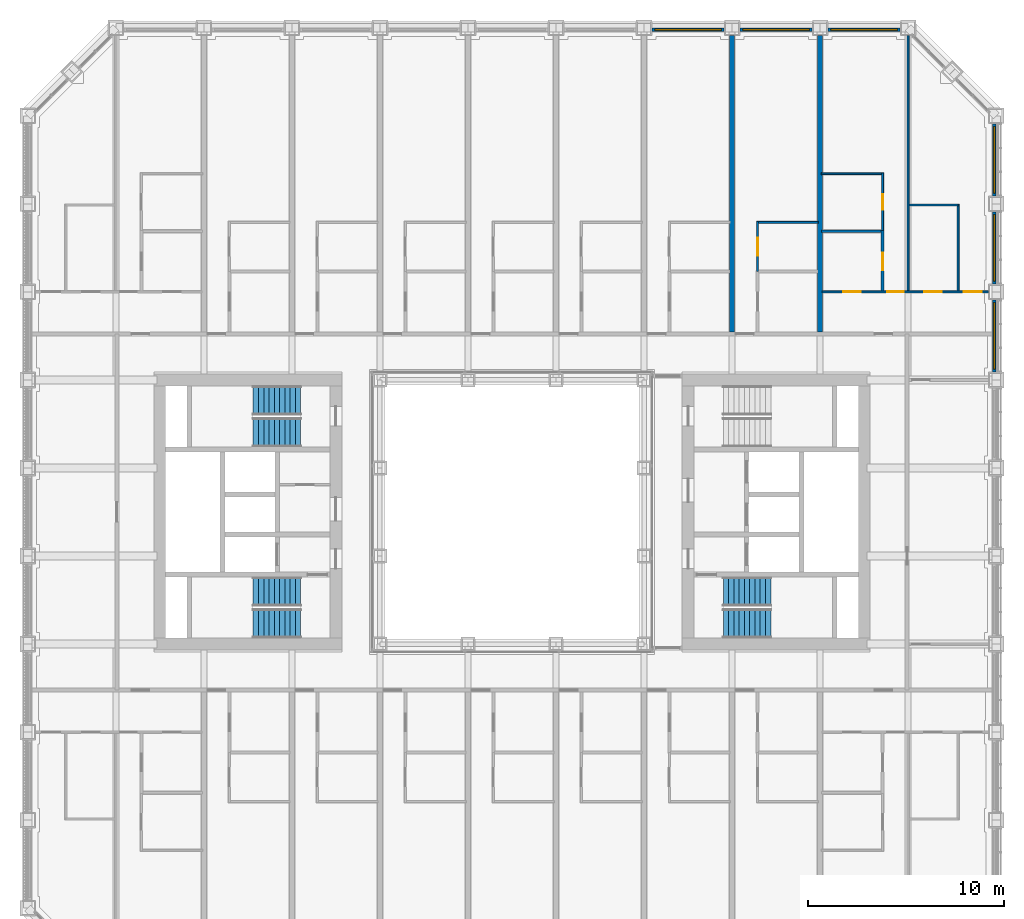
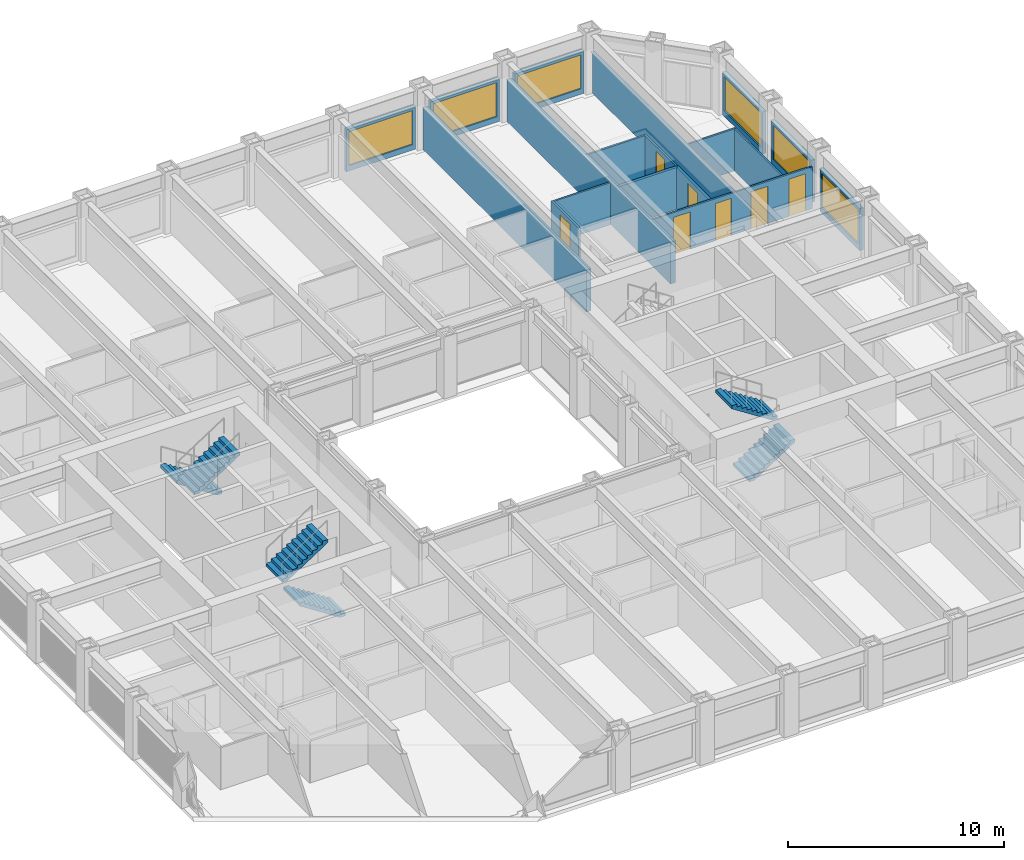
# One storey, part 15 of 21: 18 walls, 7 doors, 6 stair flights, 6 windows, 13 openings, 3 elements without a shape of their own.
"""IFC4 building model written with IfcOpenShell, lengths in metres."""

from ifc_helpers import new_model, si_unit, direction, frame, frame_2d, origin, place, context, subcontext, project, spatial, polyline, rectangle, outline, extrude, material, layer, layer_set, type_object, element, fill, aggregate, save


model = new_model("IFC4")

# Units and contexts
model_context = context("Model", 3, precision=1e-05, world=origin(), true_north=direction((0.0, 1.0)))
body_context = subcontext(model_context, "Body", "Model", "MODEL_VIEW")
ifc_project = project(units=[si_unit("LENGTHUNIT", "METRE"), si_unit("AREAUNIT", "SQUARE_METRE"), si_unit("VOLUMEUNIT", "CUBIC_METRE"), si_unit("PLANEANGLEUNIT", "RADIAN"), si_unit("MASSUNIT", "GRAM", prefix="KILO")], contexts=[model_context])

# Site, building, storey
site_placement = place(None, origin())
site = spatial("IfcSite", under=ifc_project, at=site_placement, CompositionType="ELEMENT")
building_placement = place(site_placement, origin())
building = spatial("IfcBuilding", under=site, at=building_placement, Name="Msasa Ring Tower", CompositionType="ELEMENT")
storey_placement = place(building_placement, frame((0.0, 0.0, 33.5)))
storey = spatial("IfcBuildingStorey", under=building, at=storey_placement, Name="L07", CompositionType="ELEMENT", Elevation=33.5)

# Wall, opening, window
ifc_material_1 = material(Name="Terracotta rainscreen on blockwork", Category="masonry")
ifc_layer_1 = layer(ifc_material_1, 0.199951171875)
ifc_layer_set_1 = layer_set([ifc_layer_1], Name="FW1 TERRACOTTA-LINED INFILL BAY WALL 200")
wall_type_1 = type_object("IfcWallType", Name="FW1 TERRACOTTA-LINED INFILL BAY WALL 200", PredefinedType="SOLIDWALL", material=ifc_layer_set_1)
wall_1_placement = place(storey_placement, frame((24.64990234375, 7.155029296875, 0.0), z_axis=(0.0, 0.0, 1.0), x_axis=(0.0, 1.0, 0.0)))
wall_1 = element("IfcWall", 1, at=wall_1_placement, inside=storey, type_object=wall_type_1, Name="Infill bay wall E L07 17", PredefinedType="SOLIDWALL", context=body_context, shape_type="SweptSolid", body=[
    extrude(rectangle(XDim=3.68994140625, YDim=0.199951171875, at=frame_2d((1.844970703125, 0.0))), origin(), (0.0, 0.0, 1.0), 2.37890625),
])
opening_1_placement = place(wall_1_placement, frame((0.14501953125, 0.0, 0.300048828125)))
opening_1 = element("IfcOpeningElement", 2, at=opening_1_placement, cuts=wall_1, Name="Opening WN1", PredefinedType="OPENING", context=body_context, shape_type="SweptSolid", body=[
    extrude(rectangle(XDim=3.39990234375, YDim=1.928955078125, at=frame_2d((1.699951171875, 0.96435546875))), frame((0.0, 0.10986328125, 0.0), z_axis=(0.0, -1.0, 0.0), x_axis=(1.0, 0.0, 0.0)), (0.0, 0.0, 1.0), 0.219970703125),
])
ifc_material_2 = material(Name="Aluminium frame with clear glass", Category="aluminium")
window_type = type_object("IfcWindowType", Name="WN1 RESIDENCE WINDOW 3400x1929", PartitioningType="SINGLE_PANEL", PredefinedType="WINDOW", material=ifc_material_2)
window_1_placement = place(opening_1_placement, origin())
window_1 = element("IfcWindow", 3, at=window_1_placement, inside=storey, type_object=window_type, Name="Window E L07 17", OverallHeight=1.928955078125, OverallWidth=3.39990234375, PartitioningType="SINGLE_PANEL", PredefinedType="WINDOW", context=body_context, shape_type="SweptSolid", body=[
    extrude(rectangle(XDim=3.39990234375, YDim=1.928955078125, at=frame_2d((1.699951171875, 0.96435546875))), frame((0.0, 0.030029296875, 0.0), z_axis=(0.0, -1.0, 0.0), x_axis=(1.0, 0.0, 0.0)), (0.0, 0.0, 1.0), 0.06005859375),
])
fill(opening_1, window_1)

wall_2_placement = place(storey_placement, frame((24.64990234375, 11.655029296875, 0.0), z_axis=(0.0, 0.0, 1.0), x_axis=(0.0, 1.0, 0.0)))
wall_2 = element("IfcWall", 4, at=wall_2_placement, inside=storey, type_object=wall_type_1, Name="Infill bay wall E L07 18", PredefinedType="SOLIDWALL", context=body_context, shape_type="SweptSolid", body=[
    extrude(rectangle(XDim=3.68994140625, YDim=0.199951171875, at=frame_2d((1.844970703125, 0.0))), origin(), (0.0, 0.0, 1.0), 2.37890625),
])
opening_2_placement = place(wall_2_placement, frame((0.14501953125, 0.0, 0.300048828125)))
opening_2 = element("IfcOpeningElement", 5, at=opening_2_placement, cuts=wall_2, Name="Opening WN1", PredefinedType="OPENING", context=body_context, shape_type="SweptSolid", body=[
    extrude(rectangle(XDim=3.39990234375, YDim=1.928955078125, at=frame_2d((1.699951171875, 0.96435546875))), frame((0.0, 0.10986328125, 0.0), z_axis=(0.0, -1.0, 0.0), x_axis=(1.0, 0.0, 0.0)), (0.0, 0.0, 1.0), 0.219970703125),
])
window_2_placement = place(opening_2_placement, origin())
window_2 = element("IfcWindow", 6, at=window_2_placement, inside=storey, type_object=window_type, Name="Window E L07 18", OverallHeight=1.928955078125, OverallWidth=3.39990234375, PartitioningType="SINGLE_PANEL", PredefinedType="WINDOW", context=body_context, shape_type="SweptSolid", body=[
    extrude(rectangle(XDim=3.39990234375, YDim=1.928955078125, at=frame_2d((1.699951171875, 0.96435546875))), frame((0.0, 0.030029296875, 0.0), z_axis=(0.0, -1.0, 0.0), x_axis=(1.0, 0.0, 0.0)), (0.0, 0.0, 1.0), 0.06005859375),
])
fill(opening_2, window_2)

wall_3_placement = place(storey_placement, frame((24.64990234375, 16.155029296875, 0.0), z_axis=(0.0, 0.0, 1.0), x_axis=(0.0, 1.0, 0.0)))
wall_3 = element("IfcWall", 7, at=wall_3_placement, inside=storey, type_object=wall_type_1, Name="Infill bay wall E L07 19", PredefinedType="SOLIDWALL", context=body_context, shape_type="SweptSolid", body=[
    extrude(rectangle(XDim=3.68994140625, YDim=0.199951171875, at=frame_2d((1.844970703125, 0.0))), origin(), (0.0, 0.0, 1.0), 2.37890625),
])
opening_3_placement = place(wall_3_placement, frame((0.14501953125, 0.0, 0.300048828125)))
opening_3 = element("IfcOpeningElement", 8, at=opening_3_placement, cuts=wall_3, Name="Opening WN1", PredefinedType="OPENING", context=body_context, shape_type="SweptSolid", body=[
    extrude(rectangle(XDim=3.39990234375, YDim=1.928955078125, at=frame_2d((1.699951171875, 0.96435546875))), frame((0.0, 0.10986328125, 0.0), z_axis=(0.0, -1.0, 0.0), x_axis=(1.0, 0.0, 0.0)), (0.0, 0.0, 1.0), 0.219970703125),
])
window_3_placement = place(opening_3_placement, origin())
window_3 = element("IfcWindow", 9, at=window_3_placement, inside=storey, type_object=window_type, Name="Window E L07 19", OverallHeight=1.928955078125, OverallWidth=3.39990234375, PartitioningType="SINGLE_PANEL", PredefinedType="WINDOW", context=body_context, shape_type="SweptSolid", body=[
    extrude(rectangle(XDim=3.39990234375, YDim=1.928955078125, at=frame_2d((1.699951171875, 0.96435546875))), frame((0.0, 0.030029296875, 0.0), z_axis=(0.0, -1.0, 0.0), x_axis=(1.0, 0.0, 0.0)), (0.0, 0.0, 1.0), 0.06005859375),
])
fill(opening_3, window_3)

wall_4_placement = place(storey_placement, frame((7.155029296875, 24.64990234375, 0.0), z_axis=(0.0, 0.0, 1.0), x_axis=(1.0, 0.0, 0.0)))
wall_4 = element("IfcWall", 10, at=wall_4_placement, inside=storey, type_object=wall_type_1, Name="Infill bay wall N L07 28", PredefinedType="SOLIDWALL", context=body_context, shape_type="SweptSolid", body=[
    extrude(rectangle(XDim=3.68994140625, YDim=0.199951171875, at=frame_2d((1.844970703125, 0.0))), origin(), (0.0, 0.0, 1.0), 2.37890625),
])
opening_4_placement = place(wall_4_placement, frame((0.14501953125, 0.0, 0.300048828125)))
opening_4 = element("IfcOpeningElement", 11, at=opening_4_placement, cuts=wall_4, Name="Opening WN1", PredefinedType="OPENING", context=body_context, shape_type="SweptSolid", body=[
    extrude(rectangle(XDim=3.39990234375, YDim=1.928955078125, at=frame_2d((1.699951171875, 0.96435546875))), frame((0.0, 0.10986328125, 0.0), z_axis=(0.0, -1.0, 0.0), x_axis=(1.0, 0.0, 0.0)), (0.0, 0.0, 1.0), 0.219970703125),
])
window_4_placement = place(opening_4_placement, origin())
window_4 = element("IfcWindow", 12, at=window_4_placement, inside=storey, type_object=window_type, Name="Window N L07 28", OverallHeight=1.928955078125, OverallWidth=3.39990234375, PartitioningType="SINGLE_PANEL", PredefinedType="WINDOW", context=body_context, shape_type="SweptSolid", body=[
    extrude(rectangle(XDim=3.39990234375, YDim=1.928955078125, at=frame_2d((1.699951171875, 0.96435546875))), frame((0.0, 0.030029296875, 0.0), z_axis=(0.0, -1.0, 0.0), x_axis=(1.0, 0.0, 0.0)), (0.0, 0.0, 1.0), 0.06005859375),
])
fill(opening_4, window_4)

wall_5_placement = place(storey_placement, frame((11.655029296875, 24.64990234375, 0.0), z_axis=(0.0, 0.0, 1.0), x_axis=(1.0, 0.0, 0.0)))
wall_5 = element("IfcWall", 13, at=wall_5_placement, inside=storey, type_object=wall_type_1, Name="Infill bay wall N L07 29", PredefinedType="SOLIDWALL", context=body_context, shape_type="SweptSolid", body=[
    extrude(rectangle(XDim=3.68994140625, YDim=0.199951171875, at=frame_2d((1.844970703125, 0.0))), origin(), (0.0, 0.0, 1.0), 2.37890625),
])
opening_5_placement = place(wall_5_placement, frame((0.14501953125, 0.0, 0.300048828125)))
opening_5 = element("IfcOpeningElement", 14, at=opening_5_placement, cuts=wall_5, Name="Opening WN1", PredefinedType="OPENING", context=body_context, shape_type="SweptSolid", body=[
    extrude(rectangle(XDim=3.39990234375, YDim=1.928955078125, at=frame_2d((1.699951171875, 0.96435546875))), frame((0.0, 0.10986328125, 0.0), z_axis=(0.0, -1.0, 0.0), x_axis=(1.0, 0.0, 0.0)), (0.0, 0.0, 1.0), 0.219970703125),
])
window_5_placement = place(opening_5_placement, origin())
window_5 = element("IfcWindow", 15, at=window_5_placement, inside=storey, type_object=window_type, Name="Window N L07 29", OverallHeight=1.928955078125, OverallWidth=3.39990234375, PartitioningType="SINGLE_PANEL", PredefinedType="WINDOW", context=body_context, shape_type="SweptSolid", body=[
    extrude(rectangle(XDim=3.39990234375, YDim=1.928955078125, at=frame_2d((1.699951171875, 0.96435546875))), frame((0.0, 0.030029296875, 0.0), z_axis=(0.0, -1.0, 0.0), x_axis=(1.0, 0.0, 0.0)), (0.0, 0.0, 1.0), 0.06005859375),
])
fill(opening_5, window_5)

wall_6_placement = place(storey_placement, frame((16.155029296875, 24.64990234375, 0.0), z_axis=(0.0, 0.0, 1.0), x_axis=(1.0, 0.0, 0.0)))
wall_6 = element("IfcWall", 16, at=wall_6_placement, inside=storey, type_object=wall_type_1, Name="Infill bay wall N L07 30", PredefinedType="SOLIDWALL", context=body_context, shape_type="SweptSolid", body=[
    extrude(rectangle(XDim=3.68994140625, YDim=0.199951171875, at=frame_2d((1.844970703125, 0.0))), origin(), (0.0, 0.0, 1.0), 2.37890625),
])
opening_6_placement = place(wall_6_placement, frame((0.14501953125, 0.0, 0.300048828125)))
opening_6 = element("IfcOpeningElement", 17, at=opening_6_placement, cuts=wall_6, Name="Opening WN1", PredefinedType="OPENING", context=body_context, shape_type="SweptSolid", body=[
    extrude(rectangle(XDim=3.39990234375, YDim=1.928955078125, at=frame_2d((1.699951171875, 0.96435546875))), frame((0.0, 0.10986328125, 0.0), z_axis=(0.0, -1.0, 0.0), x_axis=(1.0, 0.0, 0.0)), (0.0, 0.0, 1.0), 0.219970703125),
])
window_6_placement = place(opening_6_placement, origin())
window_6 = element("IfcWindow", 18, at=window_6_placement, inside=storey, type_object=window_type, Name="Window N L07 30", OverallHeight=1.928955078125, OverallWidth=3.39990234375, PartitioningType="SINGLE_PANEL", PredefinedType="WINDOW", context=body_context, shape_type="SweptSolid", body=[
    extrude(rectangle(XDim=3.39990234375, YDim=1.928955078125, at=frame_2d((1.699951171875, 0.96435546875))), frame((0.0, 0.030029296875, 0.0), z_axis=(0.0, -1.0, 0.0), x_axis=(1.0, 0.0, 0.0)), (0.0, 0.0, 1.0), 0.06005859375),
])
fill(opening_6, window_6)

# Wall
ifc_material_3 = material(Name="Gypsum board on steel studs", Category="steel")
ifc_layer_2 = layer(ifc_material_3, 0.10009765625)
ifc_layer_set_2 = layer_set([ifc_layer_2], Name="PT2 STUD PARTITION 100")
wall_type_2 = type_object("IfcWallType", Name="PT2 STUD PARTITION 100", PredefinedType="PARTITIONING", material=ifc_layer_set_2)
wall_7_placement = place(storey_placement, frame((12.60009765625, 14.800048828125, 0.0), z_axis=(0.0, 0.0, 1.0), x_axis=(1.0, 0.0, 0.0)))
element("IfcWall", 19, at=wall_7_placement, inside=storey, type_object=wall_type_2, Name="Partition L07-UN07KY", PredefinedType="PARTITIONING", context=body_context, shape_type="SweptSolid", body=[
    extrude(rectangle(XDim=3.0498046875, YDim=0.10009765625, at=frame_2d((1.52490234375, 0.0))), origin(), (0.0, 0.0, 1.0), 2.373291015625),
])

# Wall, opening, door
wall_8_placement = place(storey_placement, frame((12.550048828125, 12.300048828125, 0.0), z_axis=(0.0, 0.0, 1.0), x_axis=(0.0, 1.0, 0.0)))
wall_8 = element("IfcWall", 20, at=wall_8_placement, inside=storey, type_object=wall_type_2, Name="Partition L07-UN07KX", PredefinedType="PARTITIONING", context=body_context, shape_type="SweptSolid", body=[
    extrude(rectangle(XDim=2.550048828125, YDim=0.10009765625, at=frame_2d((1.27490234375, 0.0))), origin(), (0.0, 0.0, 1.0), 2.373291015625),
])
opening_7_placement = place(wall_8_placement, frame((0.81005859375, 0.0, 0.0)))
opening_7 = element("IfcOpeningElement", 21, at=opening_7_placement, cuts=wall_8, Name="Opening RA-009", PredefinedType="OPENING", context=body_context, shape_type="SweptSolid", body=[
    extrude(rectangle(XDim=0.89990234375, YDim=2.10009765625, at=frame_2d((0.449951171875, 1.050048828125))), frame((0.0, 0.06005859375, 0.0), z_axis=(0.0, -1.0, 0.0), x_axis=(1.0, 0.0, 0.0)), (0.0, 0.0, 1.0), 0.1201171875),
])
ifc_material_4 = material(Name="Timber door leaf in a steel frame", Category="steel")
door_type_1 = type_object("IfcDoorType", Name="D22 INTERNAL HALL DOOR 900x2100", OperationType="SINGLE_SWING_LEFT", PredefinedType="DOOR", material=ifc_material_4)
door_1_placement = place(opening_7_placement, origin())
door_1 = element("IfcDoor", 22, at=door_1_placement, inside=storey, type_object=door_type_1, Name="Door L07-UN07K", OperationType="SINGLE_SWING_LEFT", OverallHeight=2.10009765625, OverallWidth=0.89990234375, PredefinedType="DOOR", context=body_context, shape_type="SweptSolid", body=[
    extrude(rectangle(XDim=0.89990234375, YDim=2.10009765625, at=frame_2d((0.449951171875, 1.050048828125))), frame((0.0, 0.02490234375, 0.0), z_axis=(0.0, -1.0, 0.0), x_axis=(1.0, 0.0, 0.0)), (0.0, 0.0, 1.0), 0.050048828125),
])
fill(opening_7, door_1)

# Wall, openings, doors
wall_9_placement = place(storey_placement, frame((15.85009765625, 11.25, 0.0), z_axis=(0.0, 0.0, 1.0), x_axis=(1.0, 0.0, 0.0)))
wall_9 = element("IfcWall", 23, at=wall_9_placement, inside=storey, type_object=wall_type_2, Name="Partition L07-UN08HY", PredefinedType="PARTITIONING", context=body_context, shape_type="SweptSolid", body=[
    extrude(rectangle(XDim=8.5, YDim=0.10009765625, at=frame_2d((4.25, 0.0))), origin(), (0.0, 0.0, 1.0), 2.373291015625),
])
opening_8_placement = place(wall_9_placement, frame((5.22509765625, 0.0, 0.0)))
opening_8 = element("IfcOpeningElement", 24, at=opening_8_placement, cuts=wall_9, Name="Opening RA-018", PredefinedType="OPENING", context=body_context, shape_type="SweptSolid", body=[
    extrude(rectangle(XDim=0.89990234375, YDim=2.10009765625, at=frame_2d((0.449951171875, 1.050048828125))), frame((0.0, 0.06005859375, 0.0), z_axis=(0.0, -1.0, 0.0), x_axis=(1.0, 0.0, 0.0)), (0.0, 0.0, 1.0), 0.1201171875),
])
opening_9_placement = place(wall_9_placement, frame((7.25, 0.0, 0.0)))
opening_9 = element("IfcOpeningElement", 25, at=opening_9_placement, cuts=wall_9, Name="Opening RA-019", PredefinedType="OPENING", context=body_context, shape_type="SweptSolid", body=[
    extrude(rectangle(XDim=0.89990234375, YDim=2.10009765625, at=frame_2d((0.449951171875, 1.050048828125))), frame((0.0, 0.06005859375, 0.0), z_axis=(0.0, -1.0, 0.0), x_axis=(1.0, 0.0, 0.0)), (0.0, 0.0, 1.0), 0.1201171875),
])
opening_10_placement = place(wall_9_placement, frame((3.324951171875, 0.0, 0.0)))
opening_10 = element("IfcOpeningElement", 26, at=opening_10_placement, cuts=wall_9, Name="Opening RA-017", PredefinedType="OPENING", context=body_context, shape_type="SweptSolid", body=[
    extrude(rectangle(XDim=0.85009765625, YDim=2.10009765625, at=frame_2d((0.425048828125, 1.050048828125))), frame((0.0, 0.06005859375, 0.0), z_axis=(0.0, -1.0, 0.0), x_axis=(1.0, 0.0, 0.0)), (0.0, 0.0, 1.0), 0.1201171875),
])
opening_11_placement = place(wall_9_placement, frame((1.080078125, 0.0, 0.0)))
opening_11 = element("IfcOpeningElement", 27, at=opening_11_placement, cuts=wall_9, Name="Opening RA-016", PredefinedType="OPENING", context=body_context, shape_type="SweptSolid", body=[
    extrude(rectangle(XDim=0.89990234375, YDim=2.10009765625, at=frame_2d((0.449951171875, 1.050048828125))), frame((0.0, 0.06005859375, 0.0), z_axis=(0.0, -1.0, 0.0), x_axis=(1.0, 0.0, 0.0)), (0.0, 0.0, 1.0), 0.1201171875),
])
ifc_material_5 = material(Name="Timber door leaf in a steel frame", Category="steel")
door_type_2 = type_object("IfcDoorType", Name="D14 BEDROOM DOOR 850x2100", OperationType="SINGLE_SWING_LEFT", PredefinedType="DOOR", material=ifc_material_5)
door_2_placement = place(opening_10_placement, origin())
door_2 = element("IfcDoor", 28, at=door_2_placement, inside=storey, type_object=door_type_2, Name="Door L07-UN08R1", OperationType="SINGLE_SWING_LEFT", OverallHeight=2.10009765625, OverallWidth=0.85009765625, PredefinedType="DOOR", context=body_context, shape_type="SweptSolid", body=[
    extrude(rectangle(XDim=0.85009765625, YDim=2.10009765625, at=frame_2d((0.425048828125, 1.050048828125))), frame((0.0, 0.02490234375, 0.0), z_axis=(0.0, -1.0, 0.0), x_axis=(1.0, 0.0, 0.0)), (0.0, 0.0, 1.0), 0.050048828125),
])
fill(opening_10, door_2)
door_3_placement = place(opening_8_placement, origin())
door_3 = element("IfcDoor", 29, at=door_3_placement, inside=storey, type_object=door_type_1, Name="Door L07-UN08K", OperationType="SINGLE_SWING_RIGHT", OverallHeight=2.10009765625, OverallWidth=0.89990234375, PredefinedType="DOOR", context=body_context, shape_type="SweptSolid", body=[
    extrude(rectangle(XDim=0.89990234375, YDim=2.10009765625, at=frame_2d((0.449951171875, 1.050048828125))), frame((0.0, 0.02490234375, 0.0), z_axis=(0.0, -1.0, 0.0), x_axis=(1.0, 0.0, 0.0)), (0.0, 0.0, 1.0), 0.050048828125),
])
fill(opening_8, door_3)
door_4_placement = place(opening_9_placement, origin())
door_4 = element("IfcDoor", 30, at=door_4_placement, inside=storey, type_object=door_type_1, Name="Door L07-UN08L", OperationType="SINGLE_SWING_RIGHT", OverallHeight=2.10009765625, OverallWidth=0.89990234375, PredefinedType="DOOR", context=body_context, shape_type="SweptSolid", body=[
    extrude(rectangle(XDim=0.89990234375, YDim=2.10009765625, at=frame_2d((0.449951171875, 1.050048828125))), frame((0.0, 0.02490234375, 0.0), z_axis=(0.0, -1.0, 0.0), x_axis=(1.0, 0.0, 0.0)), (0.0, 0.0, 1.0), 0.050048828125),
])
fill(opening_9, door_4)
ifc_material_6 = material(Name="Timber door leaf in a steel frame", Category="steel")
door_type_3 = type_object("IfcDoorType", Name="D3 BATHROOM DOOR 900x2100", OperationType="SINGLE_SWING_LEFT", PredefinedType="DOOR", material=ifc_material_6)
door_5_placement = place(opening_11_placement, origin())
door_5 = element("IfcDoor", 31, at=door_5_placement, inside=storey, type_object=door_type_3, Name="Door L07-UN08BH1", OperationType="SINGLE_SWING_LEFT", OverallHeight=2.10009765625, OverallWidth=0.89990234375, PredefinedType="DOOR", context=body_context, shape_type="SweptSolid", body=[
    extrude(rectangle(XDim=0.89990234375, YDim=2.10009765625, at=frame_2d((0.449951171875, 1.050048828125))), frame((0.0, 0.02490234375, 0.0), z_axis=(0.0, -1.0, 0.0), x_axis=(1.0, 0.0, 0.0)), (0.0, 0.0, 1.0), 0.050048828125),
])
fill(opening_11, door_5)

# Walls
wall_10_placement = place(storey_placement, frame((22.800048828125, 11.300048828125, 0.0), z_axis=(0.0, 0.0, 1.0), x_axis=(0.0, 1.0, 0.0)))
element("IfcWall", 32, at=wall_10_placement, inside=storey, type_object=wall_type_2, Name="Partition L07-UN08KX", PredefinedType="PARTITIONING", context=body_context, shape_type="SweptSolid", body=[
    extrude(rectangle(XDim=4.442138671875, YDim=0.10009765625, at=frame_2d((2.22119140625, 0.0))), origin(), (0.0, 0.0, 1.0), 2.373291015625),
])
wall_11_placement = place(storey_placement, frame((20.300048828125, 15.692138671875, 0.0), z_axis=(0.0, 0.0, 1.0), x_axis=(1.0, 0.0, 0.0)))
element("IfcWall", 33, at=wall_11_placement, inside=storey, type_object=wall_type_2, Name="Partition L07-UN08KY", PredefinedType="PARTITIONING", context=body_context, shape_type="SweptSolid", body=[
    extrude(rectangle(XDim=2.5, YDim=0.10009765625, at=frame_2d((1.25, 0.0))), origin(), (0.0, 0.0, 1.0), 2.373291015625),
])
wall_12_placement = place(storey_placement, frame((20.25, 11.300048828125, 0.0), z_axis=(0.0, 0.0, 1.0), x_axis=(0.0, 1.0, 0.0)))
element("IfcWall", 34, at=wall_12_placement, inside=storey, type_object=wall_type_2, Name="Partition L07-UN08P1", PredefinedType="PARTITIONING", context=body_context, shape_type="SweptSolid", body=[
    extrude(rectangle(XDim=13.050048828125, YDim=0.10009765625, at=frame_2d((6.52490234375, 0.0))), origin(), (0.0, 0.0, 1.0), 2.373291015625),
])

# Wall, opening, door
wall_13_placement = place(storey_placement, frame((18.949951171875, 14.39990234375, 0.0), z_axis=(0.0, 0.0, 1.0), x_axis=(0.0, 1.0, 0.0)))
wall_13 = element("IfcWall", 35, at=wall_13_placement, inside=storey, type_object=wall_type_2, Name="Partition L07-UN08WX1", PredefinedType="PARTITIONING", context=body_context, shape_type="SweptSolid", body=[
    extrude(rectangle(XDim=2.94091796875, YDim=0.10009765625, at=frame_2d((1.470458984375, 0.0))), origin(), (0.0, 0.0, 1.0), 2.373291015625),
])
opening_12_placement = place(wall_13_placement, frame((1.04541015625, 0.0, 0.0)))
opening_12 = element("IfcOpeningElement", 36, at=opening_12_placement, cuts=wall_13, Name="Opening RA-002", PredefinedType="OPENING", context=body_context, shape_type="SweptSolid", body=[
    extrude(rectangle(XDim=0.800048828125, YDim=2.10009765625, at=frame_2d((0.39990234375, 1.050048828125))), frame((0.0, 0.06005859375, 0.0), z_axis=(0.0, -1.0, 0.0), x_axis=(1.0, 0.0, 0.0)), (0.0, 0.0, 1.0), 0.1201171875),
])
ifc_material_7 = material(Name="Timber door leaf in a steel frame", Category="steel")
door_type_4 = type_object("IfcDoorType", Name="D60 DRESSING ROOM DOOR 800x2100", OperationType="SINGLE_SWING_LEFT", PredefinedType="DOOR", material=ifc_material_7)
door_6_placement = place(opening_12_placement, origin())
door_6 = element("IfcDoor", 37, at=door_6_placement, inside=storey, type_object=door_type_4, Name="Door L07-UN08W1", OperationType="SINGLE_SWING_LEFT", OverallHeight=2.10009765625, OverallWidth=0.800048828125, PredefinedType="DOOR", context=body_context, shape_type="SweptSolid", body=[
    extrude(rectangle(XDim=0.800048828125, YDim=2.10009765625, at=frame_2d((0.39990234375, 1.050048828125))), frame((0.0, 0.02490234375, 0.0), z_axis=(0.0, -1.0, 0.0), x_axis=(1.0, 0.0, 0.0)), (0.0, 0.0, 1.0), 0.050048828125),
])
fill(opening_12, door_6)

# Walls
wall_14_placement = place(storey_placement, frame((15.81005859375, 17.291015625, 0.0), z_axis=(0.0, 0.0, 1.0), x_axis=(1.0, 0.0, 0.0)))
element("IfcWall", 38, at=wall_14_placement, inside=storey, type_object=wall_type_2, Name="Partition L07-UN08WY1", PredefinedType="PARTITIONING", context=body_context, shape_type="SweptSolid", body=[
    extrude(rectangle(XDim=3.139892578125, YDim=0.10009765625, at=frame_2d((1.56982421875, 0.0))), origin(), (0.0, 0.0, 1.0), 2.373291015625),
])
ifc_material_8 = material(Name="Dense concrete blockwork, plastered both faces", Category="masonry")
ifc_layer_3 = layer(ifc_material_8, 0.25)
ifc_layer_set_3 = layer_set([ifc_layer_3], Name="PT3 APARTMENT SEPARATING WALL 250")
wall_type_3 = type_object("IfcWallType", Name="PT3 APARTMENT SEPARATING WALL 250", PredefinedType="PARTITIONING", material=ifc_layer_set_3)
for number, where, z_axis, x_axis, name in (
    (39, (11.25, 9.199951171875, 0.0), (0.0, 0.0, 1.0), (0.0, 1.0, 0.0), "Party wall L07-PWN+11.25"),
    (40, (15.75, 9.199951171875, 0.0), (0.0, 0.0, 1.0), (0.0, 1.0, 0.0), "Party wall L07-PWN+15.75"),
):
    element("IfcWall", number, at=place(storey_placement, frame(where, z_axis=z_axis, x_axis=x_axis)), inside=storey, type_object=wall_type_3, Name=name, PredefinedType="PARTITIONING", context=body_context, shape_type="SweptSolid", body=[
        extrude(rectangle(XDim=15.150146484375, YDim=0.25, at=frame_2d((7.5751953125, 0.0))), origin(), (0.0, 0.0, 1.0), 2.373291015625),
    ])

# Wall, opening, door
ifc_material_9 = material(Name="Moisture-resistant board on steel studs with a concealed cistern and pipe void, tiled", Category="steel")
ifc_layer_4 = layer(ifc_material_9, 0.14990234375)
ifc_layer_set_4 = layer_set([ifc_layer_4], Name="PT4 BATHROOM WET WALL 150")
wall_type_4 = type_object("IfcWallType", Name="PT4 BATHROOM WET WALL 150", PredefinedType="PARTITIONING", material=ifc_layer_set_4)
wall_15_placement = place(storey_placement, frame((18.949951171875, 11.300048828125, 0.0), z_axis=(0.0, 0.0, 1.0), x_axis=(0.0, 1.0, 0.0)))
wall_15 = element("IfcWall", 41, at=wall_15_placement, inside=storey, type_object=wall_type_4, Name="Partition L07-UN08BX1", PredefinedType="PARTITIONING", context=body_context, shape_type="SweptSolid", body=[
    extrude(rectangle(XDim=3.099853515625, YDim=0.14990234375, at=frame_2d((1.5498046875, 0.0))), origin(), (0.0, 0.0, 1.0), 2.373291015625),
])
opening_13_placement = place(wall_15_placement, frame((1.050048828125, 0.0, 0.0)))
opening_13 = element("IfcOpeningElement", 42, at=opening_13_placement, cuts=wall_15, Name="Opening RA-011", PredefinedType="OPENING", context=body_context, shape_type="SweptSolid", body=[
    extrude(rectangle(XDim=0.89990234375, YDim=2.10009765625, at=frame_2d((0.449951171875, 1.050048828125))), frame((0.0, 0.0849609375, 0.0), z_axis=(0.0, -1.0, 0.0), x_axis=(1.0, 0.0, 0.0)), (0.0, 0.0, 1.0), 0.169921875),
])
door_7_placement = place(opening_13_placement, origin())
door_7 = element("IfcDoor", 43, at=door_7_placement, inside=storey, type_object=door_type_3, Name="Door L07-UN08B1", OperationType="SINGLE_SWING_LEFT", OverallHeight=2.10009765625, OverallWidth=0.89990234375, PredefinedType="DOOR", context=body_context, shape_type="SweptSolid", body=[
    extrude(rectangle(XDim=0.89990234375, YDim=2.10009765625, at=frame_2d((0.449951171875, 1.050048828125))), frame((0.0, 0.02490234375, 0.0), z_axis=(0.0, -1.0, 0.0), x_axis=(1.0, 0.0, 0.0)), (0.0, 0.0, 1.0), 0.050048828125),
])
fill(opening_13, door_7)

# Wall
wall_16_placement = place(storey_placement, frame((15.81005859375, 14.35009765625, 0.0), z_axis=(0.0, 0.0, 1.0), x_axis=(1.0, 0.0, 0.0)))
element("IfcWall", 44, at=wall_16_placement, inside=storey, type_object=wall_type_4, Name="Partition L07-UN08BY1", PredefinedType="PARTITIONING", context=body_context, shape_type="SweptSolid", body=[
    extrude(rectangle(XDim=3.139892578125, YDim=0.14990234375, at=frame_2d((1.56982421875, 0.0))), origin(), (0.0, 0.0, 1.0), 2.373291015625),
])

# Stair, stair flights
ifc_material_10 = material(Name="Concrete C40/50", Category="concrete")
stair_type = type_object("IfcStairType", Name="STC CORE STAIR 20 RISERS 175", PredefinedType="HALF_TURN_STAIR", material=ifc_material_10)
stair_1_placement = place(storey_placement, origin())
stair_1 = element("IfcStair", 45, at=stair_1_placement, inside=storey, type_object=stair_type, Name="Core stair SEA L07", PredefinedType="HALF_TURN_STAIR")
ifc_material_11 = material(Name="Concrete C40/50", Category="concrete")
stair_flight_type = type_object("IfcStairFlightType", Name="ST12 CORE STAIR FLIGHT 1500 10 RISERS 175", PredefinedType="STRAIGHT", material=ifc_material_11)
stair_flight_1_placement = place(storey_placement, frame((10.800048828125, -5.699951171875, 0.0), z_axis=(0.0, 0.0, 1.0), x_axis=(1.0, 0.0, 0.0)))
stair_flight_1 = element("IfcStairFlight", 46, at=stair_flight_1_placement, type_object=stair_flight_type, Name="SEA flight 1", NumberOfRisers=10, NumberOfTreads=9, PredefinedType="STRAIGHT", RiserHeight=0.175, TreadLength=0.27, context=body_context, shape_type="SweptSolid", body=[
    extrude(outline(polyline([(0.0, 0.0), (0.0, 0.175048828125), (0.27001953125, 0.175048828125), (0.27001953125, 0.35009765625), (0.5400390625, 0.35009765625), (0.5400390625, 0.52490234375), (0.81005859375, 0.52490234375), (0.81005859375, 0.699951171875), (1.080078125, 0.699951171875), (1.080078125, 0.875), (1.35009765625, 0.875), (1.35009765625, 1.050048828125), (1.6201171875, 1.050048828125), (1.6201171875, 1.22509765625), (1.889892578125, 1.22509765625), (1.889892578125, 1.39990234375), (2.159912109375, 1.39990234375), (2.159912109375, 1.574951171875), (2.429931640625, 1.574951171875), (2.429931640625, 1.75), (2.429931640625, 1.396484375), (0.275634765625, 0.0), (0.0, 0.0)])), frame((0.0, 0.75, 0.0), z_axis=(0.0, -1.0, 0.0), x_axis=(1.0, 0.0, 0.0)), (0.0, 0.0, 1.0), 1.5),
])
stair_flight_2_placement = place(storey_placement, frame((13.22998046875, -4.074951171875, 1.75), z_axis=(0.0, 0.0, 1.0), x_axis=(-1.0, 0.0, 0.0)))
stair_flight_2 = element("IfcStairFlight", 47, at=stair_flight_2_placement, type_object=stair_flight_type, Name="SEA flight 2", NumberOfRisers=10, NumberOfTreads=9, PredefinedType="STRAIGHT", RiserHeight=0.175, TreadLength=0.27, context=body_context, shape_type="SweptSolid", body=[
    extrude(outline(polyline([(0.0, 0.0), (0.0, 0.175048828125), (0.27001953125, 0.175048828125), (0.27001953125, 0.35009765625), (0.5400390625, 0.35009765625), (0.5400390625, 0.52490234375), (0.81005859375, 0.52490234375), (0.81005859375, 0.699951171875), (1.080078125, 0.699951171875), (1.080078125, 0.875), (1.35009765625, 0.875), (1.35009765625, 1.050048828125), (1.6201171875, 1.050048828125), (1.6201171875, 1.22509765625), (1.889892578125, 1.22509765625), (1.889892578125, 1.39990234375), (2.159912109375, 1.39990234375), (2.159912109375, 1.574951171875), (2.429931640625, 1.574951171875), (2.429931640625, 1.75), (2.429931640625, 1.396484375), (0.275634765625, 0.0), (0.0, 0.0)])), frame((0.0, 0.75, 0.0), z_axis=(0.0, -1.0, 0.0), x_axis=(1.0, 0.0, 0.0)), (0.0, 0.0, 1.0), 1.5),
])
aggregate(stair_1, [stair_flight_1, stair_flight_2])

stair_2_placement = place(storey_placement, origin())
stair_2 = element("IfcStair", 48, at=stair_2_placement, inside=storey, type_object=stair_type, Name="Core stair SWA L07", PredefinedType="HALF_TURN_STAIR")
stair_flight_3_placement = place(storey_placement, frame((-10.800048828125, -5.699951171875, 0.0), z_axis=(0.0, 0.0, 1.0), x_axis=(-1.0, 0.0, 0.0)))
stair_flight_3 = element("IfcStairFlight", 49, at=stair_flight_3_placement, type_object=stair_flight_type, Name="SWA flight 1", NumberOfRisers=10, NumberOfTreads=9, PredefinedType="STRAIGHT", RiserHeight=0.175, TreadLength=0.27, context=body_context, shape_type="SweptSolid", body=[
    extrude(outline(polyline([(0.0, 0.0), (0.0, 0.175048828125), (0.27001953125, 0.175048828125), (0.27001953125, 0.35009765625), (0.5400390625, 0.35009765625), (0.5400390625, 0.52490234375), (0.81005859375, 0.52490234375), (0.81005859375, 0.699951171875), (1.080078125, 0.699951171875), (1.080078125, 0.875), (1.35009765625, 0.875), (1.35009765625, 1.050048828125), (1.6201171875, 1.050048828125), (1.6201171875, 1.22509765625), (1.889892578125, 1.22509765625), (1.889892578125, 1.39990234375), (2.159912109375, 1.39990234375), (2.159912109375, 1.574951171875), (2.429931640625, 1.574951171875), (2.429931640625, 1.75), (2.429931640625, 1.396484375), (0.275634765625, 0.0), (0.0, 0.0)])), frame((0.0, 0.75, 0.0), z_axis=(0.0, -1.0, 0.0), x_axis=(1.0, 0.0, 0.0)), (0.0, 0.0, 1.0), 1.5),
])
stair_flight_4_placement = place(storey_placement, frame((-13.22998046875, -4.074951171875, 1.75), z_axis=(0.0, 0.0, 1.0), x_axis=(1.0, 0.0, 0.0)))
stair_flight_4 = element("IfcStairFlight", 50, at=stair_flight_4_placement, type_object=stair_flight_type, Name="SWA flight 2", NumberOfRisers=10, NumberOfTreads=9, PredefinedType="STRAIGHT", RiserHeight=0.175, TreadLength=0.27, context=body_context, shape_type="SweptSolid", body=[
    extrude(outline(polyline([(0.0, 0.0), (0.0, 0.175048828125), (0.27001953125, 0.175048828125), (0.27001953125, 0.35009765625), (0.5400390625, 0.35009765625), (0.5400390625, 0.52490234375), (0.81005859375, 0.52490234375), (0.81005859375, 0.699951171875), (1.080078125, 0.699951171875), (1.080078125, 0.875), (1.35009765625, 0.875), (1.35009765625, 1.050048828125), (1.6201171875, 1.050048828125), (1.6201171875, 1.22509765625), (1.889892578125, 1.22509765625), (1.889892578125, 1.39990234375), (2.159912109375, 1.39990234375), (2.159912109375, 1.574951171875), (2.429931640625, 1.574951171875), (2.429931640625, 1.75), (2.429931640625, 1.396484375), (0.275634765625, 0.0), (0.0, 0.0)])), frame((0.0, 0.75, 0.0), z_axis=(0.0, -1.0, 0.0), x_axis=(1.0, 0.0, 0.0)), (0.0, 0.0, 1.0), 1.5),
])
aggregate(stair_2, [stair_flight_3, stair_flight_4])

stair_3_placement = place(storey_placement, origin())
stair_3 = element("IfcStair", 51, at=stair_3_placement, inside=storey, type_object=stair_type, Name="Core stair SWB L07", PredefinedType="HALF_TURN_STAIR")
stair_flight_5_placement = place(storey_placement, frame((-10.800048828125, 5.699951171875, 0.0), z_axis=(0.0, 0.0, 1.0), x_axis=(-1.0, 0.0, 0.0)))
stair_flight_5 = element("IfcStairFlight", 52, at=stair_flight_5_placement, type_object=stair_flight_type, Name="SWB flight 1", NumberOfRisers=10, NumberOfTreads=9, PredefinedType="STRAIGHT", RiserHeight=0.175, TreadLength=0.27, context=body_context, shape_type="SweptSolid", body=[
    extrude(outline(polyline([(0.0, 0.0), (0.0, 0.175048828125), (0.27001953125, 0.175048828125), (0.27001953125, 0.35009765625), (0.5400390625, 0.35009765625), (0.5400390625, 0.52490234375), (0.81005859375, 0.52490234375), (0.81005859375, 0.699951171875), (1.080078125, 0.699951171875), (1.080078125, 0.875), (1.35009765625, 0.875), (1.35009765625, 1.050048828125), (1.6201171875, 1.050048828125), (1.6201171875, 1.22509765625), (1.889892578125, 1.22509765625), (1.889892578125, 1.39990234375), (2.159912109375, 1.39990234375), (2.159912109375, 1.574951171875), (2.429931640625, 1.574951171875), (2.429931640625, 1.75), (2.429931640625, 1.396484375), (0.275634765625, 0.0), (0.0, 0.0)])), frame((0.0, 0.75, 0.0), z_axis=(0.0, -1.0, 0.0), x_axis=(1.0, 0.0, 0.0)), (0.0, 0.0, 1.0), 1.5),
])
stair_flight_6_placement = place(storey_placement, frame((-13.22998046875, 4.074951171875, 1.75), z_axis=(0.0, 0.0, 1.0), x_axis=(1.0, 0.0, 0.0)))
stair_flight_6 = element("IfcStairFlight", 53, at=stair_flight_6_placement, type_object=stair_flight_type, Name="SWB flight 2", NumberOfRisers=10, NumberOfTreads=9, PredefinedType="STRAIGHT", RiserHeight=0.175, TreadLength=0.27, context=body_context, shape_type="SweptSolid", body=[
    extrude(outline(polyline([(0.0, 0.0), (0.0, 0.175048828125), (0.27001953125, 0.175048828125), (0.27001953125, 0.35009765625), (0.5400390625, 0.35009765625), (0.5400390625, 0.52490234375), (0.81005859375, 0.52490234375), (0.81005859375, 0.699951171875), (1.080078125, 0.699951171875), (1.080078125, 0.875), (1.35009765625, 0.875), (1.35009765625, 1.050048828125), (1.6201171875, 1.050048828125), (1.6201171875, 1.22509765625), (1.889892578125, 1.22509765625), (1.889892578125, 1.39990234375), (2.159912109375, 1.39990234375), (2.159912109375, 1.574951171875), (2.429931640625, 1.574951171875), (2.429931640625, 1.75), (2.429931640625, 1.396484375), (0.275634765625, 0.0), (0.0, 0.0)])), frame((0.0, 0.75, 0.0), z_axis=(0.0, -1.0, 0.0), x_axis=(1.0, 0.0, 0.0)), (0.0, 0.0, 1.0), 1.5),
])
aggregate(stair_3, [stair_flight_5, stair_flight_6])

save(model, "model.ifc")
